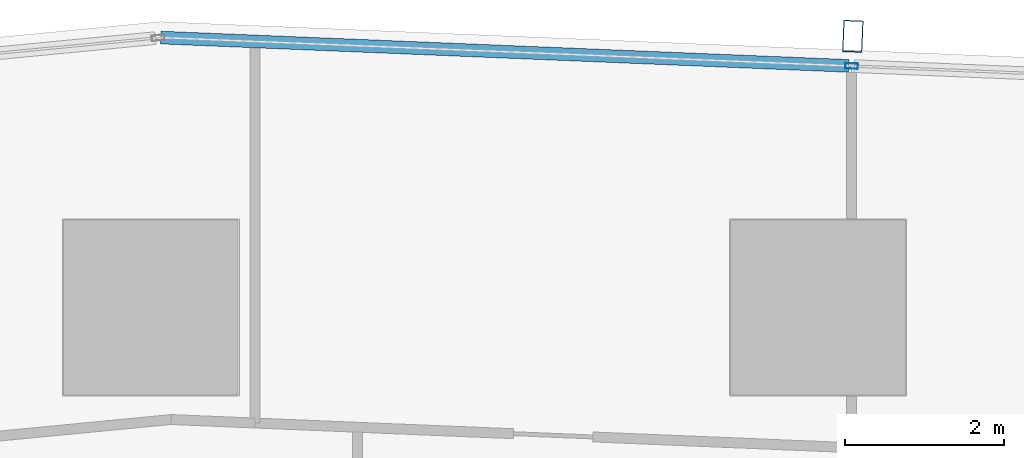
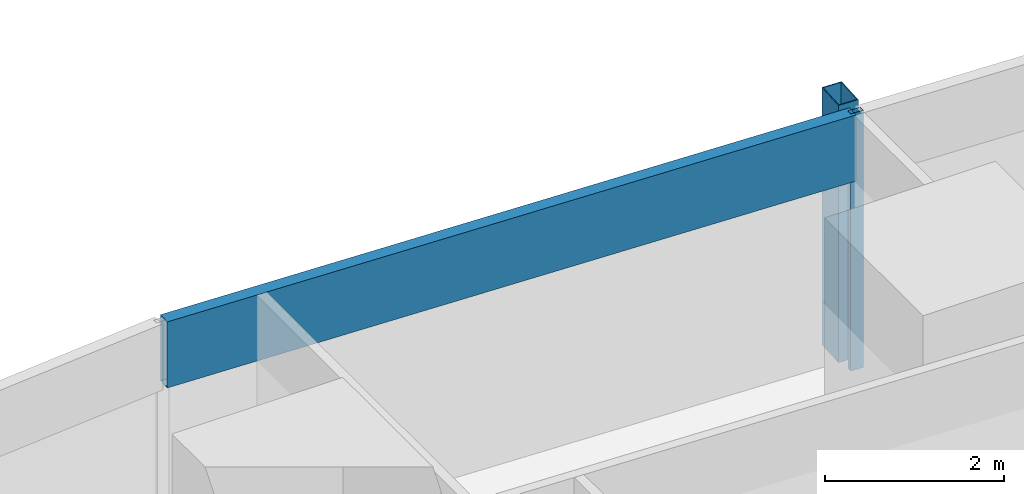
# One storey, part 18 of 44: 3 members, 1 element without a shape of its own.
"""IFC4 building model written with IfcOpenShell, lengths in metres."""

from ifc_helpers import new_model, si_unit, direction, frame, origin, origin_2d, place, context, subcontext, project, spatial, hollow_rectangle, extrude, material, material_profile, profile_set, type_object, element, aggregate, save


model = new_model("IFC4")

# Units and contexts
model_context = context("Model", 3, precision=1e-05, world=origin(), true_north=direction((0.0, 1.0)))
body_context = subcontext(model_context, "Body", "Model", "MODEL_VIEW")
ifc_project = project(units=[si_unit("LENGTHUNIT", "METRE"), si_unit("AREAUNIT", "SQUARE_METRE"), si_unit("VOLUMEUNIT", "CUBIC_METRE"), si_unit("PLANEANGLEUNIT", "RADIAN"), si_unit("MASSUNIT", "GRAM", prefix="KILO")], contexts=[model_context])

# Site, building, storey
site_placement = place(None, origin())
site = spatial("IfcSite", under=ifc_project, at=site_placement, CompositionType="ELEMENT")
building_placement = place(site_placement, origin())
building = spatial("IfcBuilding", under=site, at=building_placement, Name="Rekha Terrace Tower", CompositionType="ELEMENT")
storey_placement = place(building_placement, frame((0.0, 0.0, 51.64990234375)))
storey = spatial("IfcBuildingStorey", under=building, at=storey_placement, Name="L12", CompositionType="ELEMENT", Elevation=51.64990234375)

# Curtain wall, members
ifc_material_1 = material(Name="Aluminium framing", Category="aluminium")
curtain_wall_type = type_object("IfcCurtainWallType", Name="CW3 north unitised glazing", PredefinedType="USERDEFINED", material=ifc_material_1)
curtain_wall_placement = place(storey_placement, origin())
curtain_wall = element("IfcCurtainWall", 1, at=curtain_wall_placement, inside=storey, type_object=curtain_wall_type, Name="CW3 unitised curtain wall", ObjectType="UNITISED CURTAIN WALL", PredefinedType="USERDEFINED")
ifc_material_2 = material(Name="Steel S355 with fluorocarbon finish", Category="steel")
ifc_material_profile_1 = material_profile(ifc_material_2, hollow_rectangle(XDim=0.25, YDim=0.39990234375, WallThickness=0.012451171875, at=origin_2d()), Name="RHS400x250x12.5")
ifc_profile_set_1 = profile_set([ifc_material_profile_1], Name="Steel S355 with fluorocarbon finish")
member_type_1 = type_object("IfcMemberType", Name="BL1 facade blade RHS 400 x 250", PredefinedType="USERDEFINED", material=ifc_profile_set_1)
member_1_placement = place(storey_placement, frame((34.037353515625, 62.2158203125, 0.0), z_axis=(0.0, 0.0, 1.0), x_axis=(-0.99915196507, 0.041174636562, 0.0)))
member_1 = element("IfcMember", 2, at=member_1_placement, type_object=member_type_1, Name="Facade blade", ObjectType="FACADE BLADE", PredefinedType="USERDEFINED", context=body_context, shape_type="SweptSolid", body=[
    extrude(hollow_rectangle(XDim=0.25, YDim=0.39990234375, WallThickness=0.012451171875, at=origin_2d()), origin(), (0.0, 0.0, 1.0), 3.5),
])
ifc_material_3 = material(Name="Aluminium mullion section", Category="aluminium")
ifc_material_profile_2 = material_profile(ifc_material_3, hollow_rectangle(XDim=0.070068359375, YDim=0.159912109375, WallThickness=0.00390625, at=origin_2d()), Name="AL RHS 70x160")
ifc_profile_set_2 = profile_set([ifc_material_profile_2], Name="Aluminium mullion section")
member_type_2 = type_object("IfcMemberType", Name="CW3 mullion RHS 70 x 160", PredefinedType="MULLION", material=ifc_profile_set_2)
member_2_placement = place(storey_placement, frame((34.02197265625, 61.84130859375, 0.0), z_axis=(0.0, 0.0, 1.0), x_axis=(-0.041173846041, -0.999151997647, 0.0)))
member_2 = element("IfcMember", 3, at=member_2_placement, type_object=member_type_2, Name="CW3 mullion 5", PredefinedType="MULLION", context=body_context, shape_type="SweptSolid", body=[
    extrude(hollow_rectangle(XDim=0.070068359375, YDim=0.159912109375, WallThickness=0.00390625, at=origin_2d()), origin(), (0.0, 0.0, 1.0), 3.5),
])
ifc_material_4 = material(Name="Insulated aluminium spandrel box", Category="aluminium")
ifc_material_profile_3 = material_profile(ifc_material_4, hollow_rectangle(XDim=0.159912109375, YDim=0.89990234375, WallThickness=0.0029296875, at=origin_2d()), Name="AL SPANDREL BOX 160x900")
ifc_profile_set_3 = profile_set([ifc_material_profile_3], Name="Insulated aluminium spandrel box")
member_type_3 = type_object("IfcMemberType", Name="CW3 spandrel transom 160 x 900", PredefinedType="USERDEFINED", material=ifc_profile_set_3)
member_3_placement = place(storey_placement, frame((33.987060546875, 61.8427734375, 3.050048828125), z_axis=(-0.999152004012, 0.04117369158, 0.0), x_axis=(-0.04117369158, -0.999152004012, 0.0)))
member_3 = element("IfcMember", 4, at=member_3_placement, type_object=member_type_3, Name="CW3 spandrel transom 5", ObjectType="TRANSOM", PredefinedType="USERDEFINED", context=body_context, shape_type="SweptSolid", body=[
    extrude(hollow_rectangle(XDim=0.159912109375, YDim=0.89990234375, WallThickness=0.0029296875, at=origin_2d()), origin(), (0.0, 0.0, 1.0), 8.6689453125),
])
aggregate(curtain_wall, [member_2, member_3, member_1])

save(model, "model.ifc")
